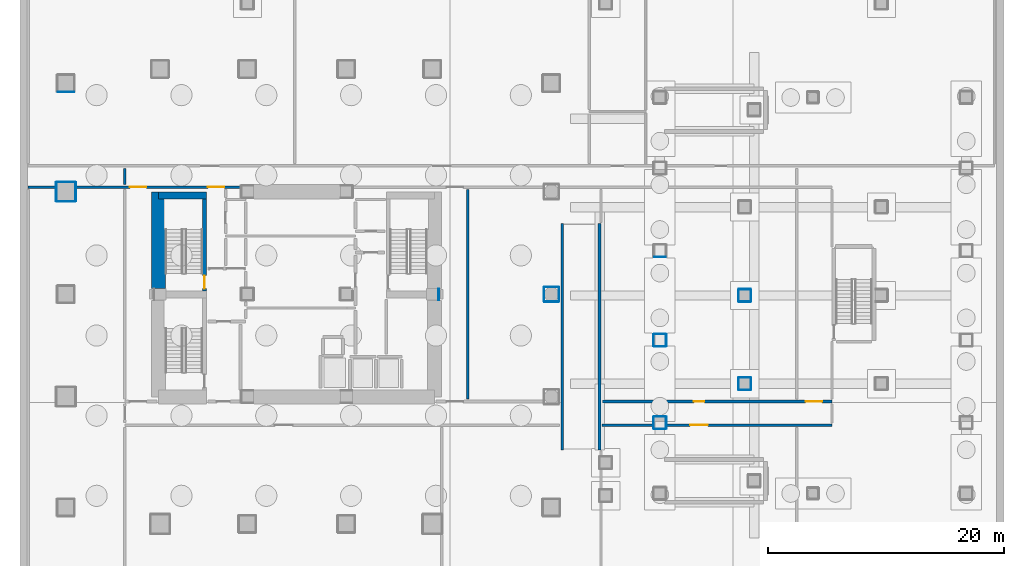
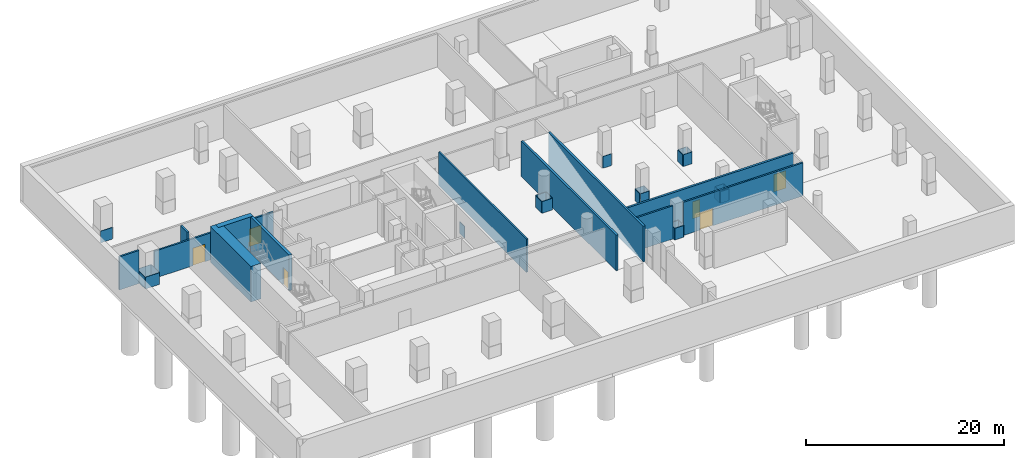
# One storey, part 6 of 13: 39 walls, 6 doors, 6 openings.
"""IFC4 building model written with IfcOpenShell, lengths in metres."""

from ifc_helpers import new_model, si_unit, direction, frame, frame_2d, origin, place, context, subcontext, project, spatial, rectangle, extrude, material, layer, layer_set, type_object, element, fill, save


model = new_model("IFC4")

# Units and contexts
model_context = context("Model", 3, precision=1e-05, world=origin(), true_north=direction((0.0, 1.0)))
body_context = subcontext(model_context, "Body", "Model", "MODEL_VIEW")
ifc_project = project(units=[si_unit("LENGTHUNIT", "METRE"), si_unit("AREAUNIT", "SQUARE_METRE"), si_unit("VOLUMEUNIT", "CUBIC_METRE"), si_unit("PLANEANGLEUNIT", "RADIAN"), si_unit("MASSUNIT", "GRAM", prefix="KILO")], contexts=[model_context])

# Site, building, storey
site_placement = place(None, origin())
site = spatial("IfcSite", under=ifc_project, at=site_placement, CompositionType="ELEMENT")
building_placement = place(site_placement, origin())
building = spatial("IfcBuilding", under=site, at=building_placement, Name="Solanera Arch Residences", CompositionType="ELEMENT")
storey_placement = place(building_placement, frame((0.0, 0.0, -13.199951171875)))
storey = spatial("IfcBuildingStorey", under=building, at=storey_placement, Name="B03", CompositionType="ELEMENT", Elevation=-13.199951171875)

# Walls
ifc_material_1 = material(Name="Fire-Rated Gypsum Stud Partition", Category="gypsum")
ifc_layer_1 = layer(ifc_material_1, 0.06005859375)
ifc_layer_set_1 = layer_set([ifc_layer_1], Name="Fire-Rated Gypsum Stud Partition")
wall_type_1 = type_object("IfcWallType", Name="Column Acoustic Furring Wall 60", PredefinedType="PARTITIONING", material=ifc_layer_set_1)
wall_1_placement = place(storey_placement, frame((37.031982421875, 30.2099609375, 0.0), z_axis=(0.0, 0.0, 1.0), x_axis=(0.0, 1.0, 0.0)))
element("IfcWall", 1, at=wall_1_placement, inside=storey, type_object=wall_type_1, Name="B03 Column Furring 6E", PredefinedType="PARTITIONING", context=body_context, shape_type="SweptSolid", body=[
    extrude(rectangle(XDim=0.97998046875, YDim=0.06005859375, at=frame_2d((0.489990234375, 0.0))), origin(), (0.0, 0.0, 1.0), 1.449951171875),
])
for number, where, z_axis, x_axis, name in (
    (2, (4.60009765625, 38.568115234375, 0.0), (0.0, 0.0, 1.0), (1.0, 0.0, 0.0), "B03 Column Furring 17S"),
    (3, (4.60009765625, 40.23193359375, 0.0), (0.0, 0.0, 1.0), (1.0, 0.0, 0.0), "B03 Column Furring 17N"),
    (4, (4.568115234375, 38.60009765625, 0.0), (0.0, 0.0, 1.0), (0.0, 1.0, 0.0), "B03 Column Furring 17W"),
    (5, (6.23193359375, 38.60009765625, 0.0), (0.0, 0.0, 1.0), (0.0, 1.0, 0.0), "B03 Column Furring 17E"),
):
    element("IfcWall", number, at=place(storey_placement, frame(where, z_axis=z_axis, x_axis=x_axis)), inside=storey, type_object=wall_type_1, Name=name, PredefinedType="PARTITIONING", context=body_context, shape_type="SweptSolid", body=[
        extrude(rectangle(XDim=1.599853515625, YDim=0.06005859375, at=frame_2d((0.7998046875, 0.0))), origin(), (0.0, 0.0, 1.0), 1.449951171875),
    ])
for number, where, z_axis, x_axis, name in (
    (6, (46.0, 30.068115234375, 0.0), (0.0, 0.0, 1.0), (1.0, 0.0, 0.0), "B03 Column Furring 19S"),
    (7, (46.0, 31.33203125, 0.0), (0.0, 0.0, 1.0), (1.0, 0.0, 0.0), "B03 Column Furring 19N"),
    (8, (45.968017578125, 30.10009765625, 0.0), (0.0, 0.0, 1.0), (0.0, 1.0, 0.0), "B03 Column Furring 19W"),
    (9, (47.23193359375, 30.10009765625, 0.0), (0.0, 0.0, 1.0), (0.0, 1.0, 0.0), "B03 Column Furring 19E"),
):
    element("IfcWall", number, at=place(storey_placement, frame(where, z_axis=z_axis, x_axis=x_axis)), inside=storey, type_object=wall_type_1, Name=name, PredefinedType="PARTITIONING", context=body_context, shape_type="SweptSolid", body=[
        extrude(rectangle(XDim=1.199951171875, YDim=0.06005859375, at=frame_2d((0.60009765625, 0.0))), origin(), (0.0, 0.0, 1.0), 1.449951171875),
    ])
wall_2_placement = place(storey_placement, frame((4.699951171875, 47.867919921875, 0.0), z_axis=(0.0, 0.0, 1.0), x_axis=(1.0, 0.0, 0.0)))
element("IfcWall", 10, at=wall_2_placement, inside=storey, type_object=wall_type_1, Name="B03 Column Furring 23S", PredefinedType="PARTITIONING", context=body_context, shape_type="SweptSolid", body=[
    extrude(rectangle(XDim=1.400146484375, YDim=0.06005859375, at=frame_2d((0.7001953125, 0.0))), origin(), (0.0, 0.0, 1.0), 1.449951171875),
])
for number, where, z_axis, x_axis, name in (
    (11, (62.5, 22.568115234375, 0.0), (0.0, 0.0, 1.0), (1.0, 0.0, 0.0), "B03 Column Furring 27S"),
    (12, (62.5, 23.632080078125, 0.0), (0.0, 0.0, 1.0), (1.0, 0.0, 0.0), "B03 Column Furring 27N"),
    (13, (62.468017578125, 22.60009765625, 0.0), (0.0, 0.0, 1.0), (0.0, 1.0, 0.0), "B03 Column Furring 27W"),
    (14, (63.531982421875, 22.60009765625, 0.0), (0.0, 0.0, 1.0), (0.0, 1.0, 0.0), "B03 Column Furring 27E"),
    (15, (62.5, 30.068115234375, 0.0), (0.0, 0.0, 1.0), (1.0, 0.0, 0.0), "B03 Column Furring 29S"),
    (16, (62.5, 31.132080078125, 0.0), (0.0, 0.0, 1.0), (1.0, 0.0, 0.0), "B03 Column Furring 29N"),
    (17, (62.468017578125, 30.10009765625, 0.0), (0.0, 0.0, 1.0), (0.0, 1.0, 0.0), "B03 Column Furring 29W"),
    (18, (63.531982421875, 30.10009765625, 0.0), (0.0, 0.0, 1.0), (0.0, 1.0, 0.0), "B03 Column Furring 29E"),
    (19, (55.300048828125, 19.26806640625, 0.0), (0.0, 0.0, 1.0), (1.0, 0.0, 0.0), "B03 Column Furring 44S"),
    (20, (55.300048828125, 20.33203125, 0.0), (0.0, 0.0, 1.0), (1.0, 0.0, 0.0), "B03 Column Furring 44N"),
    (21, (55.26806640625, 19.300048828125, 0.0), (0.0, 0.0, 1.0), (0.0, 1.0, 0.0), "B03 Column Furring 44W"),
    (22, (56.33203125, 19.300048828125, 0.0), (0.0, 0.0, 1.0), (0.0, 1.0, 0.0), "B03 Column Furring 44E"),
    (23, (55.300048828125, 26.26806640625, 0.0), (0.0, 0.0, 1.0), (1.0, 0.0, 0.0), "B03 Column Furring 45S"),
    (24, (55.300048828125, 27.33203125, 0.0), (0.0, 0.0, 1.0), (1.0, 0.0, 0.0), "B03 Column Furring 45N"),
    (25, (55.26806640625, 26.300048828125, 0.0), (0.0, 0.0, 1.0), (0.0, 1.0, 0.0), "B03 Column Furring 45W"),
    (26, (56.33203125, 26.300048828125, 0.0), (0.0, 0.0, 1.0), (0.0, 1.0, 0.0), "B03 Column Furring 45E"),
    (27, (55.300048828125, 33.867919921875, 0.0), (0.0, 0.0, 1.0), (1.0, 0.0, 0.0), "B03 Column Furring 46S"),
):
    element("IfcWall", number, at=place(storey_placement, frame(where, z_axis=z_axis, x_axis=x_axis)), inside=storey, type_object=wall_type_1, Name=name, PredefinedType="PARTITIONING", context=body_context, shape_type="SweptSolid", body=[
        extrude(rectangle(XDim=1.0, YDim=0.06005859375, at=frame_2d((0.5, 0.0))), origin(), (0.0, 0.0, 1.0), 1.449951171875),
    ])
ifc_material_2 = material(Name="Concrete C55/67 (f'c = 60 MPa)", Category="concrete")
ifc_layer_2 = layer(ifc_material_2, 1.199951171875)
ifc_layer_set_2 = layer_set([ifc_layer_2], Name="Concrete C55/67 (f'c = 60 MPa)")
wall_type_2 = type_object("IfcWallType", Name="Core Shear Wall CW-1200", PredefinedType="SHEAR", material=ifc_layer_set_2)
wall_3_placement = place(storey_placement, frame((13.239990234375, 31.205078125, 0.0), z_axis=(0.0, 0.0, 1.0), x_axis=(0.0, 1.0, 0.0)))
element("IfcWall", 28, at=wall_3_placement, inside=storey, type_object=wall_type_2, Name="B03 West Core North Shear Wall", PredefinedType="SHEAR", context=body_context, shape_type="SweptSolid", body=[
    extrude(rectangle(XDim=8.19482421875, YDim=1.199951171875, at=frame_2d((4.097412109375, 0.0))), origin(), (0.0, 0.0, 1.0), 4.39990234375),
])

# Wall, opening, door
ifc_material_3 = material(Name="Concrete C40/50 (f'c = 45 MPa)", Category="concrete")
ifc_layer_3 = layer(ifc_material_3, 0.320068359375)
ifc_layer_set_3 = layer_set([ifc_layer_3], Name="Concrete C40/50 (f'c = 45 MPa)")
wall_type_3 = type_object("IfcWallType", Name="Core Shear Wall CW-320", PredefinedType="SHEAR", material=ifc_layer_set_3)
wall_4_placement = place(storey_placement, frame((17.159912109375, 31.0, 0.0), z_axis=(0.0, 0.0, 1.0), x_axis=(0.0, 1.0, 0.0)))
wall_4 = element("IfcWall", 29, at=wall_4_placement, inside=storey, type_object=wall_type_3, Name="B03 Stair ST-T1 East Shear Wall", PredefinedType="SHEAR", context=body_context, shape_type="SweptSolid", body=[
    extrude(rectangle(XDim=7.800048828125, YDim=0.320068359375, at=frame_2d((3.89990234375, 0.0))), origin(), (0.0, 0.0, 1.0), 4.39990234375),
])
opening_1_placement = place(wall_4_placement, frame((0.18994140625, 0.0, 0.0)))
opening_1 = element("IfcOpeningElement", 30, at=opening_1_placement, cuts=wall_4, Name="Opening DF-01", PredefinedType="OPENING", context=body_context, shape_type="SweptSolid", body=[
    extrude(rectangle(XDim=1.10009765625, YDim=2.14990234375, at=frame_2d((0.550048828125, 1.074951171875))), frame((0.0, 0.169921875, 0.0), z_axis=(0.0, -1.0, 0.0), x_axis=(1.0, 0.0, 0.0)), (0.0, 0.0, 1.0), 0.3401),
])
ifc_material_4 = material(Name="Fire-Rated Architectural Hardwood", Category="wood")
door_type_1 = type_object("IfcDoorType", Name="Stair Exit Fire Door DF-01", OperationType="NOTDEFINED", PredefinedType="DOOR", material=ifc_material_4)
door_1_placement = place(opening_1_placement, origin())
door_1 = element("IfcDoor", 31, at=door_1_placement, inside=storey, type_object=door_type_1, Name="DR-B03-STAIR-ST-T1", OperationType="SINGLE_SWING_RIGHT", OverallHeight=2.14990234375, OverallWidth=1.10009765625, PredefinedType="DOOR", context=body_context, shape_type="SweptSolid", body=[
    extrude(rectangle(XDim=1.10009765625, YDim=2.14990234375, at=frame_2d((0.550048828125, 1.074951171875))), frame((0.0, 0.02490234375, 0.0), z_axis=(0.0, -1.0, 0.0), x_axis=(1.0, 0.0, 0.0)), (0.0, 0.0, 1.0), 0.050048828125),
])
fill(opening_1, door_1)

# Walls
ifc_material_5 = material(Name="Concrete C40/50 (f'c = 45 MPa)", Category="concrete")
ifc_layer_4 = layer(ifc_material_5, 0.60009765625)
ifc_layer_set_4 = layer_set([ifc_layer_4], Name="Concrete C40/50 (f'c = 45 MPa)")
wall_type_4 = type_object("IfcWallType", Name="Core Shear Wall CW-600", PredefinedType="SHEAR", material=ifc_layer_set_4)
wall_5_placement = place(storey_placement, frame((13.239990234375, 39.10009765625, 0.0), z_axis=(0.0, 0.0, 1.0), x_axis=(1.0, 0.0, 0.0)))
element("IfcWall", 32, at=wall_5_placement, inside=storey, type_object=wall_type_4, Name="B03 North-West Core Shear Wall", PredefinedType="SHEAR", context=body_context, shape_type="SweptSolid", body=[
    extrude(rectangle(XDim=4.080078125, YDim=0.60009765625, at=frame_2d((2.0400390625, 0.0))), origin(), (0.0, 0.0, 1.0), 4.39990234375),
])
ifc_material_6 = material(Name="Autoclaved Aerated Concrete Blockwork", Category="masonry")
ifc_layer_5 = layer(ifc_material_6, 0.179931640625)
ifc_layer_set_5 = layer_set([ifc_layer_5], Name="Autoclaved Aerated Concrete Blockwork")
wall_type_5 = type_object("IfcWallType", Name="Corridor Fire Partition 180", PredefinedType="PARTITIONING", material=ifc_layer_set_5)
wall_6_placement = place(storey_placement, frame((39.5, 21.818115234375, 0.0), z_axis=(0.0, 0.0, 1.0), x_axis=(0.0, 1.0, 0.0)))
element("IfcWall", 33, at=wall_6_placement, inside=storey, type_object=wall_type_5, Name="B03 Interior Partition V18", PredefinedType="PARTITIONING", context=body_context, shape_type="SweptSolid", body=[
    extrude(rectangle(XDim=17.783935546875, YDim=0.179931640625, at=frame_2d((8.89208984375, 0.0))), origin(), (0.0, 0.0, 1.0), 4.099853515625),
])
ifc_material_7 = material(Name="Autoclaved Aerated Concrete Blockwork", Category="masonry")
ifc_layer_6 = layer(ifc_material_7, 0.199951171875)
ifc_layer_set_6 = layer_set([ifc_layer_6], Name="Autoclaved Aerated Concrete Blockwork")
wall_type_6 = type_object("IfcWallType", Name="Party Wall Acoustic 200", PredefinedType="PARTITIONING", material=ifc_layer_set_6)
wall_7_placement = place(storey_placement, frame((50.907958984375, 19.60009765625, 0.0), z_axis=(0.0, 0.0, 1.0), x_axis=(1.0, 0.0, 0.0)))
element("IfcWall", 34, at=wall_7_placement, inside=storey, type_object=wall_type_6, Name="B03 Interior Partition H10 1", PredefinedType="PARTITIONING", context=body_context, shape_type="SweptSolid", body=[
    extrude(rectangle(XDim=4.280029296875, YDim=0.199951171875, at=frame_2d((2.14013671875, 0.0))), origin(), (0.0, 0.0, 1.0), 4.099853515625),
])

# Wall, opening, door
wall_8_placement = place(storey_placement, frame((56.412109375, 19.60009765625, 0.0), z_axis=(0.0, 0.0, 1.0), x_axis=(1.0, 0.0, 0.0)))
wall_8 = element("IfcWall", 35, at=wall_8_placement, inside=storey, type_object=wall_type_6, Name="B03 Interior Partition H10 2", PredefinedType="PARTITIONING", context=body_context, shape_type="SweptSolid", body=[
    extrude(rectangle(XDim=13.98779296875, YDim=0.199951171875, at=frame_2d((6.993896484375, 0.0))), origin(), (0.0, 0.0, 1.0), 4.099853515625),
])
opening_2_placement = place(wall_8_placement, frame((1.9619140625, 0.0, 0.0)))
opening_2 = element("IfcOpeningElement", 36, at=opening_2_placement, cuts=wall_8, Name="Opening DP-01", PredefinedType="OPENING", context=body_context, shape_type="SweptSolid", body=[
    extrude(rectangle(XDim=1.5, YDim=2.14990234375, at=frame_2d((0.75, 1.074951171875))), frame((0.0, 0.110107421875, 0.0), z_axis=(0.0, -1.0, 0.0), x_axis=(1.0, 0.0, 0.0)), (0.0, 0.0, 1.0), 0.22),
])
ifc_material_8 = material(Name="Fire-Rated Architectural Hardwood", Category="wood")
door_type_2 = type_object("IfcDoorType", Name="Plant Double Fire Door DP-01", OperationType="NOTDEFINED", PredefinedType="DOOR", material=ifc_material_8)
door_2_placement = place(opening_2_placement, origin())
door_2 = element("IfcDoor", 37, at=door_2_placement, inside=storey, type_object=door_type_2, Name="DR-B03-IN-023", OperationType="SINGLE_SWING_RIGHT", OverallHeight=2.14990234375, OverallWidth=1.5, PredefinedType="DOOR", context=body_context, shape_type="SweptSolid", body=[
    extrude(rectangle(XDim=1.5, YDim=2.14990234375, at=frame_2d((0.75, 1.074951171875))), frame((0.0, 0.02490234375, 0.0), z_axis=(0.0, -1.0, 0.0), x_axis=(1.0, 0.0, 0.0)), (0.0, 0.0, 1.0), 0.050048828125),
])
fill(opening_2, door_2)

# Wall
wall_9_placement = place(storey_placement, frame((2.199951171875, 39.800048828125, 0.0), z_axis=(0.0, 0.0, 1.0), x_axis=(1.0, 0.0, 0.0)))
element("IfcWall", 38, at=wall_9_placement, inside=storey, type_object=wall_type_6, Name="B03 Interior Partition H12 1", PredefinedType="PARTITIONING", context=body_context, shape_type="SweptSolid", body=[
    extrude(rectangle(XDim=2.2880859375, YDim=0.199951171875, at=frame_2d((1.14404296875, 0.0))), origin(), (0.0, 0.0, 1.0), 4.099853515625),
])

# Wall, openings, doors
wall_10_placement = place(storey_placement, frame((6.31201171875, 39.800048828125, 0.0), z_axis=(0.0, 0.0, 1.0), x_axis=(1.0, 0.0, 0.0)))
wall_10 = element("IfcWall", 39, at=wall_10_placement, inside=storey, type_object=wall_type_6, Name="B03 Interior Partition H12 2", PredefinedType="PARTITIONING", context=body_context, shape_type="SweptSolid", body=[
    extrude(rectangle(XDim=13.8759765625, YDim=0.199951171875, at=frame_2d((6.93798828125, 0.0))), origin(), (0.0, 0.0, 1.0), 3.3349609375),
])
opening_3_placement = place(wall_10_placement, frame((11.123046875, 0.0, 0.0)))
opening_3 = element("IfcOpeningElement", 40, at=opening_3_placement, cuts=wall_10, Name="Opening DF-03", PredefinedType="OPENING", context=body_context, shape_type="SweptSolid", body=[
    extrude(rectangle(XDim=1.39990234375, YDim=2.14990234375, at=frame_2d((0.699951171875, 1.074951171875))), frame((0.0, 0.110107421875, 0.0), z_axis=(0.0, -1.0, 0.0), x_axis=(1.0, 0.0, 0.0)), (0.0, 0.0, 1.0), 0.22),
])
opening_4_placement = place(wall_10_placement, frame((4.511962890625, 0.0, 0.0)))
opening_4 = element("IfcOpeningElement", 41, at=opening_4_placement, cuts=wall_10, Name="Opening DF-03", PredefinedType="OPENING", context=body_context, shape_type="SweptSolid", body=[
    extrude(rectangle(XDim=1.39990234375, YDim=2.14990234375, at=frame_2d((0.699951171875, 1.074951171875))), frame((0.0, 0.110107421875, 0.0), z_axis=(0.0, -1.0, 0.0), x_axis=(1.0, 0.0, 0.0)), (0.0, 0.0, 1.0), 0.22),
])
ifc_material_9 = material(Name="Fire-Rated Architectural Hardwood", Category="wood")
door_type_3 = type_object("IfcDoorType", Name="Corridor Smoke Door DF-03", OperationType="NOTDEFINED", PredefinedType="DOOR", material=ifc_material_9)
door_3_placement = place(opening_3_placement, origin())
door_3 = element("IfcDoor", 42, at=door_3_placement, inside=storey, type_object=door_type_3, Name="DR-B03-IN-010", OperationType="SINGLE_SWING_LEFT", OverallHeight=2.14990234375, OverallWidth=1.39990234375, PredefinedType="DOOR", context=body_context, shape_type="SweptSolid", body=[
    extrude(rectangle(XDim=1.39990234375, YDim=2.14990234375, at=frame_2d((0.699951171875, 1.074951171875))), frame((0.0, 0.02490234375, 0.0), z_axis=(0.0, -1.0, 0.0), x_axis=(1.0, 0.0, 0.0)), (0.0, 0.0, 1.0), 0.050048828125),
])
fill(opening_3, door_3)
door_4_placement = place(opening_4_placement, origin())
door_4 = element("IfcDoor", 43, at=door_4_placement, inside=storey, type_object=door_type_3, Name="DR-B03-IN-014", OperationType="SINGLE_SWING_LEFT", OverallHeight=2.14990234375, OverallWidth=1.39990234375, PredefinedType="DOOR", context=body_context, shape_type="SweptSolid", body=[
    extrude(rectangle(XDim=1.39990234375, YDim=2.14990234375, at=frame_2d((0.699951171875, 1.074951171875))), frame((0.0, 0.02490234375, 0.0), z_axis=(0.0, -1.0, 0.0), x_axis=(1.0, 0.0, 0.0)), (0.0, 0.0, 1.0), 0.050048828125),
])
fill(opening_4, door_4)

# Walls
wall_11_placement = place(storey_placement, frame((10.39990234375, 40.008056640625, 0.0), z_axis=(0.0, 0.0, 1.0), x_axis=(0.0, 1.0, 0.0)))
element("IfcWall", 44, at=wall_11_placement, inside=storey, type_object=wall_type_6, Name="B03 Interior Partition V8 4", PredefinedType="PARTITIONING", context=body_context, shape_type="SweptSolid", body=[
    extrude(rectangle(XDim=1.384033203125, YDim=0.199951171875, at=frame_2d((0.69189453125, 0.0))), origin(), (0.0, 0.0, 1.0), 4.099853515625),
])
ifc_material_10 = material(Name="Concrete C40/50 (f'c = 45 MPa)", Category="concrete")
ifc_layer_7 = layer(ifc_material_10, 0.239990234375)
ifc_layer_set_7 = layer_set([ifc_layer_7], Name="Concrete C40/50 (f'c = 45 MPa)")
wall_type_7 = type_object("IfcWallType", Name="Ramp Bearing Shear Wall RW-240", PredefinedType="SHEAR", material=ifc_layer_set_7)
for number, where, z_axis, x_axis, name in (
    (45, (47.52001953125, 17.5, 0.0), (0.0, 0.0, 1.0), (0.0, 1.0, 0.0), "B03 Vehicle Ramp West Bearing Wall"),
    (46, (50.679931640625, 17.5, 0.0), (0.0, 0.0, 1.0), (0.0, 1.0, 0.0), "B03 Vehicle Ramp East Bearing Wall"),
):
    element("IfcWall", number, at=place(storey_placement, frame(where, z_axis=z_axis, x_axis=x_axis)), inside=storey, type_object=wall_type_7, Name=name, PredefinedType="SHEAR", context=body_context, shape_type="SweptSolid", body=[
        extrude(rectangle(XDim=19.199951171875, YDim=0.239990234375, at=frame_2d((9.60009765625, 0.0))), origin(), (0.0, 0.0, 1.0), 4.39990234375),
    ])

# Wall, openings, doors
ifc_material_11 = material(Name="Autoclaved Aerated Concrete Blockwork", Category="masonry")
ifc_layer_8 = layer(ifc_material_11, 0.239990234375)
ifc_layer_set_8 = layer_set([ifc_layer_8], Name="Autoclaved Aerated Concrete Blockwork")
wall_type_8 = type_object("IfcWallType", Name="Shaft Wall Fire-Rated 240", PredefinedType="PARTITIONING", material=ifc_layer_set_8)
wall_12_placement = place(storey_placement, frame((50.927978515625, 21.60009765625, 0.0), z_axis=(0.0, 0.0, 1.0), x_axis=(1.0, 0.0, 0.0)))
wall_12 = element("IfcWall", 47, at=wall_12_placement, inside=storey, type_object=wall_type_8, Name="B03 Interior Partition H2", PredefinedType="PARTITIONING", context=body_context, shape_type="SweptSolid", body=[
    extrude(rectangle(XDim=19.471923828125, YDim=0.239990234375, at=frame_2d((9.73583984375, 0.0))), origin(), (0.0, 0.0, 1.0), 4.099853515625),
])
opening_5_placement = place(wall_12_placement, frame((17.248046875, 0.0, 0.0)))
opening_5 = element("IfcOpeningElement", 48, at=opening_5_placement, cuts=wall_12, Name="Opening DF-03", PredefinedType="OPENING", context=body_context, shape_type="SweptSolid", body=[
    extrude(rectangle(XDim=1.39990234375, YDim=2.14990234375, at=frame_2d((0.699951171875, 1.074951171875))), frame((0.0, 0.1298828125, 0.0), z_axis=(0.0, -1.0, 0.0), x_axis=(1.0, 0.0, 0.0)), (0.0, 0.0, 1.0), 0.26),
])
opening_6_placement = place(wall_12_placement, frame((7.74609375, 0.0, 0.0)))
opening_6 = element("IfcOpeningElement", 49, at=opening_6_placement, cuts=wall_12, Name="Opening DI-02", PredefinedType="OPENING", context=body_context, shape_type="SweptSolid", body=[
    extrude(rectangle(XDim=0.89990234375, YDim=2.10009765625, at=frame_2d((0.449951171875, 1.050048828125))), frame((0.0, 0.1298828125, 0.0), z_axis=(0.0, -1.0, 0.0), x_axis=(1.0, 0.0, 0.0)), (0.0, 0.0, 1.0), 0.26),
])
door_5_placement = place(opening_5_placement, origin())
door_5 = element("IfcDoor", 50, at=door_5_placement, inside=storey, type_object=door_type_3, Name="DR-B03-IN-013", OperationType="SINGLE_SWING_RIGHT", OverallHeight=2.14990234375, OverallWidth=1.39990234375, PredefinedType="DOOR", context=body_context, shape_type="SweptSolid", body=[
    extrude(rectangle(XDim=1.39990234375, YDim=2.14990234375, at=frame_2d((0.699951171875, 1.074951171875))), frame((0.0, 0.02490234375, 0.0), z_axis=(0.0, -1.0, 0.0), x_axis=(1.0, 0.0, 0.0)), (0.0, 0.0, 1.0), 0.050048828125),
])
fill(opening_5, door_5)
ifc_material_12 = material(Name="Fire-Rated Architectural Hardwood", Category="wood")
door_type_4 = type_object("IfcDoorType", Name="Suite Room Swing Door DI-02", OperationType="NOTDEFINED", PredefinedType="DOOR", material=ifc_material_12)
door_6_placement = place(opening_6_placement, origin())
door_6 = element("IfcDoor", 51, at=door_6_placement, inside=storey, type_object=door_type_4, Name="DR-B03-IN-024", OperationType="SINGLE_SWING_LEFT", OverallHeight=2.10009765625, OverallWidth=0.89990234375, PredefinedType="DOOR", context=body_context, shape_type="SweptSolid", body=[
    extrude(rectangle(XDim=0.89990234375, YDim=2.10009765625, at=frame_2d((0.449951171875, 1.050048828125))), frame((0.0, 0.02490234375, 0.0), z_axis=(0.0, -1.0, 0.0), x_axis=(1.0, 0.0, 0.0)), (0.0, 0.0, 1.0), 0.050048828125),
])
fill(opening_6, door_6)

save(model, "model.ifc")
